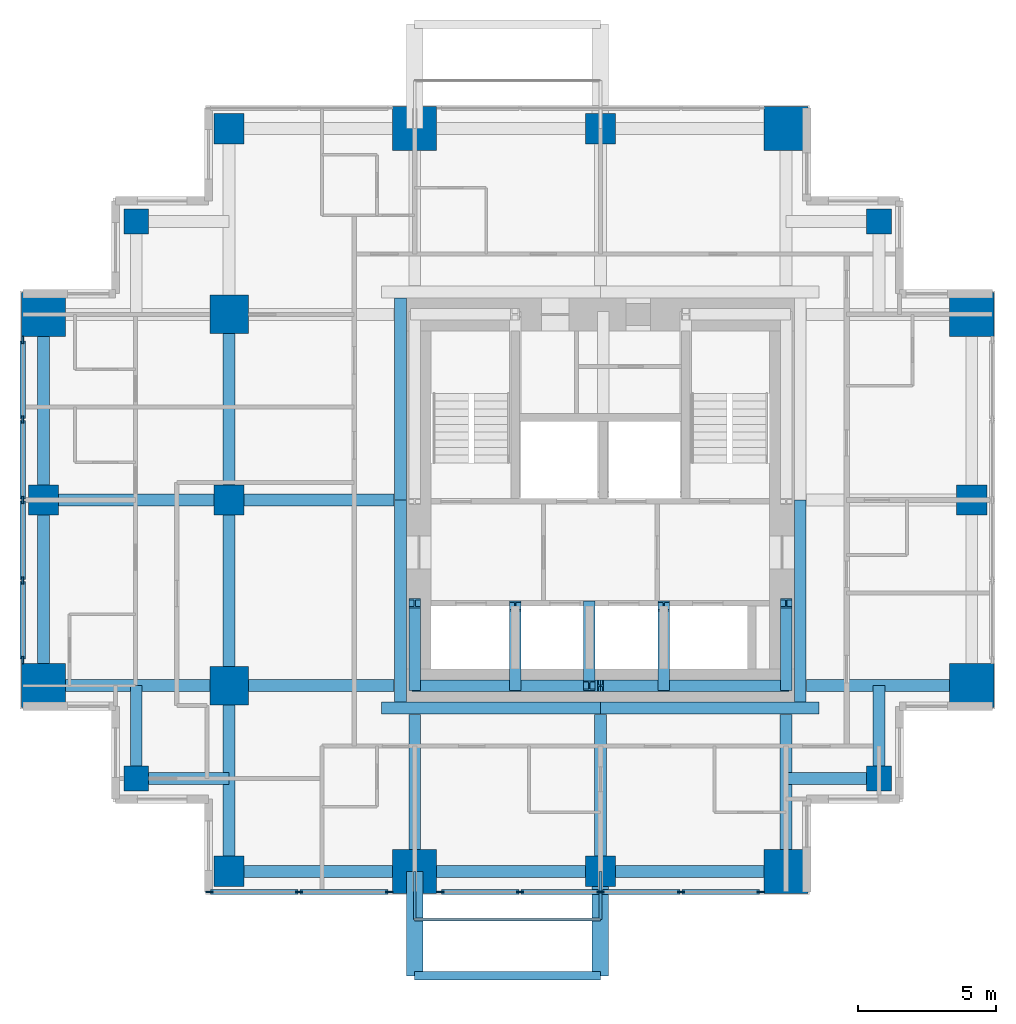
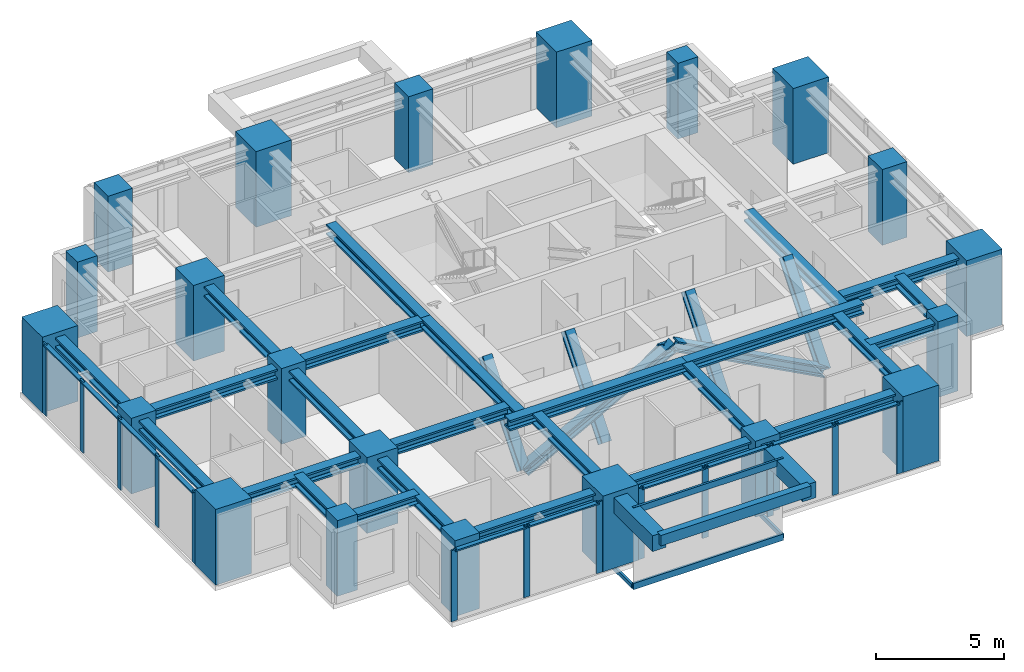
# One storey, part 1 of 8: 34 members, 28 beams, 21 columns, 3 elements without a shape of their own.
"""IFC4 building model written with IfcOpenShell, lengths in metres."""

from ifc_helpers import new_model, si_unit, direction, frame, origin, origin_2d, place, context, subcontext, project, spatial, rectangle, hollow_rectangle, i_section, extrude, material, material_profile, profile_set, type_object, element, aggregate, save


model = new_model("IFC4")

# Units and contexts
model_context = context("Model", 3, precision=1e-05, world=origin(), true_north=direction((0.0, 1.0)))
body_context = subcontext(model_context, "Body", "Model", "MODEL_VIEW")
ifc_project = project(units=[si_unit("LENGTHUNIT", "METRE"), si_unit("AREAUNIT", "SQUARE_METRE"), si_unit("VOLUMEUNIT", "CUBIC_METRE"), si_unit("PLANEANGLEUNIT", "RADIAN"), si_unit("MASSUNIT", "GRAM", prefix="KILO")], contexts=[model_context])

# Site, building, storey
site_placement = place(None, origin())
site = spatial("IfcSite", under=ifc_project, at=site_placement, CompositionType="ELEMENT")
building_placement = place(site_placement, origin())
building = spatial("IfcBuilding", under=site, at=building_placement, Name="Nyansa Garden Tower", CompositionType="ELEMENT")
storey_placement = place(building_placement, frame((0.0, 0.0, 207.89990234375)))
storey = spatial("IfcBuildingStorey", under=building, at=storey_placement, Name="L56", CompositionType="ELEMENT", Elevation=207.89990234375)

# Columns
ifc_material_1 = material(Name="Concrete C70/85", Category="concrete")
ifc_material_profile_1 = material_profile(ifc_material_1, rectangle(XDim=1.10009765625, YDim=1.10009765625, at=origin_2d()), Name="RC 1100x1100")
ifc_profile_set_1 = profile_set([ifc_material_profile_1], Name="Concrete C70/85")
column_type_1 = type_object("IfcColumnType", Name="Column C110 RC 1100x1100", PredefinedType="COLUMN", material=ifc_profile_set_1)
for number, where, z_axis, x_axis, name in (
    (1, (0.0, 20.25, 0.0), (0.0, 0.0, 1.0), (1.0, 0.0, 0.0), "Column 2/G L56"),
    (2, (6.75, 6.75, 0.0), (0.0, 0.0, 1.0), (1.0, 0.0, 0.0), "Column 3/E L56"),
    (3, (6.75, 20.25, 0.0), (0.0, 0.0, 1.0), (1.0, 0.0, 0.0), "Column 3/G L56"),
    (4, (6.75, 33.75, 0.0), (0.0, 0.0, 1.0), (1.0, 0.0, 0.0), "Column 3/J L56"),
    (5, (20.25, 6.75, 0.0), (0.0, 0.0, 1.0), (1.0, 0.0, 0.0), "Column 5/E L56"),
    (6, (20.25, 33.75, 0.0), (0.0, 0.0, 1.0), (1.0, 0.0, 0.0), "Column 5/J L56"),
    (7, (33.75, 20.25, 0.0), (0.0, 0.0, 1.0), (1.0, 0.0, 0.0), "Column 7/G L56"),
):
    element("IfcColumn", number, at=place(storey_placement, frame(where, z_axis=z_axis, x_axis=x_axis)), inside=storey, type_object=column_type_1, Name=name, PredefinedType="COLUMN", context=body_context, shape_type="SweptSolid", body=[
        extrude(rectangle(XDim=1.10009765625, YDim=1.10009765625, at=origin_2d()), origin(), (0.0, 0.0, 1.0), 3.60009765625),
    ])
ifc_material_2 = material(Name="Concrete C80/95", Category="concrete")
ifc_material_profile_2 = material_profile(ifc_material_2, rectangle(XDim=1.39990234375, YDim=1.39990234375, at=origin_2d()), Name="RC 1400x1400")
ifc_profile_set_2 = profile_set([ifc_material_profile_2], Name="Concrete C80/95")
column_type_2 = type_object("IfcColumnType", Name="Column C140 RC 1400x1400", PredefinedType="COLUMN", material=ifc_profile_set_2)
for number, where, z_axis, x_axis, name in (
    (8, (6.75, 13.5, 0.0), (0.0, 0.0, 1.0), (1.0, 0.0, 0.0), "Column 3/F L56"),
    (9, (6.75, 27.0, 0.0), (0.0, 0.0, 1.0), (1.0, 0.0, 0.0), "Column 3/H L56"),
):
    element("IfcColumn", number, at=place(storey_placement, frame(where, z_axis=z_axis, x_axis=x_axis)), inside=storey, type_object=column_type_2, Name=name, PredefinedType="COLUMN", context=body_context, shape_type="SweptSolid", body=[
        extrude(rectangle(XDim=1.39990234375, YDim=1.39990234375, at=origin_2d()), origin(), (0.0, 0.0, 1.0), 3.60009765625),
    ])
ifc_material_3 = material(Name="Concrete C80/95", Category="concrete")
ifc_material_profile_3 = material_profile(ifc_material_3, rectangle(XDim=1.60009765625, YDim=1.60009765625, at=origin_2d()), Name="RC 1600x1600")
ifc_profile_set_3 = profile_set([ifc_material_profile_3], Name="Concrete C80/95")
column_type_3 = type_object("IfcColumnType", Name="Column C160 RC 1600x1600", PredefinedType="COLUMN", material=ifc_profile_set_3)
for number, where, z_axis, x_axis, name in (
    (10, (0.0, 13.5, 0.0), (0.0, 0.0, 1.0), (1.0, 0.0, 0.0), "Column 2/F L56"),
    (11, (0.0, 27.0, 0.0), (0.0, 0.0, 1.0), (1.0, 0.0, 0.0), "Column 2/H L56"),
    (12, (13.5, 6.75, 0.0), (0.0, 0.0, 1.0), (1.0, 0.0, 0.0), "Column 4/E L56"),
    (13, (13.5, 33.75, 0.0), (0.0, 0.0, 1.0), (1.0, 0.0, 0.0), "Column 4/J L56"),
    (14, (27.0, 6.75, 0.0), (0.0, 0.0, 1.0), (1.0, 0.0, 0.0), "Column 6/E L56"),
    (15, (27.0, 33.75, 0.0), (0.0, 0.0, 1.0), (1.0, 0.0, 0.0), "Column 6/J L56"),
    (16, (33.75, 13.5, 0.0), (0.0, 0.0, 1.0), (1.0, 0.0, 0.0), "Column 7/F L56"),
    (17, (33.75, 27.0, 0.0), (0.0, 0.0, 1.0), (1.0, 0.0, 0.0), "Column 7/H L56"),
):
    element("IfcColumn", number, at=place(storey_placement, frame(where, z_axis=z_axis, x_axis=x_axis)), inside=storey, type_object=column_type_3, Name=name, PredefinedType="COLUMN", context=body_context, shape_type="SweptSolid", body=[
        extrude(rectangle(XDim=1.60009765625, YDim=1.60009765625, at=origin_2d()), origin(), (0.0, 0.0, 1.0), 3.60009765625),
    ])
ifc_material_4 = material(Name="Concrete C70/85", Category="concrete")
ifc_material_profile_4 = material_profile(ifc_material_4, rectangle(XDim=0.89990234375, YDim=0.89990234375, at=origin_2d()), Name="RC 900x900")
ifc_profile_set_4 = profile_set([ifc_material_profile_4], Name="Concrete C70/85")
column_type_4 = type_object("IfcColumnType", Name="Column C90 RC 900x900", PredefinedType="COLUMN", material=ifc_profile_set_4)
for number, where, z_axis, x_axis, name in (
    (18, (3.375, 10.125, 0.0), (0.0, 0.0, 1.0), (1.0, 0.0, 0.0), "Column x3.375/y10.125 L56"),
    (19, (3.375, 30.375, 0.0), (0.0, 0.0, 1.0), (1.0, 0.0, 0.0), "Column x3.375/y30.375 L56"),
    (20, (30.375, 10.125, 0.0), (0.0, 0.0, 1.0), (1.0, 0.0, 0.0), "Column x30.375/y10.125 L56"),
    (21, (30.375, 30.375, 0.0), (0.0, 0.0, 1.0), (1.0, 0.0, 0.0), "Column x30.375/y30.375 L56"),
):
    element("IfcColumn", number, at=place(storey_placement, frame(where, z_axis=z_axis, x_axis=x_axis)), inside=storey, type_object=column_type_4, Name=name, PredefinedType="COLUMN", context=body_context, shape_type="SweptSolid", body=[
        extrude(rectangle(XDim=0.89990234375, YDim=0.89990234375, at=origin_2d()), origin(), (0.0, 0.0, 1.0), 3.60009765625),
    ])

# Beams
ifc_material_5 = material(Name="Concrete C70/85", Category="concrete")
ifc_material_profile_5 = material_profile(ifc_material_5, rectangle(XDim=0.60009765625, YDim=0.75, at=origin_2d()), Name="RC 600x750")
ifc_profile_set_5 = profile_set([ifc_material_profile_5], Name="Concrete C70/85")
beam_type_1 = type_object("IfcBeamType", Name="Balcony cantilever beam CB1 RC 600x750", PredefinedType="BEAM", material=ifc_profile_set_5)
for number, where, z_axis, x_axis, name in (
    (22, (13.5, 6.75, 2.985107421875), (0.0, -1.0, 0.0), (1.0, 0.0, 0.0), "Balcony cantilever beam L57"),
    (23, (20.25, 6.75, 2.985107421875), (0.0, -1.0, 0.0), (1.0, 0.0, 0.0), "Balcony cantilever beam L57"),
):
    element("IfcBeam", number, at=place(storey_placement, frame(where, z_axis=z_axis, x_axis=x_axis)), inside=storey, type_object=beam_type_1, Name=name, PredefinedType="BEAM", context=body_context, shape_type="SweptSolid", body=[
        extrude(rectangle(XDim=0.60009765625, YDim=0.75, at=origin_2d()), origin(), (0.0, 0.0, 1.0), 3.800048828125),
    ])
ifc_material_6 = material(Name="Concrete C70/85", Category="concrete")
ifc_material_profile_6 = material_profile(ifc_material_6, rectangle(XDim=0.300048828125, YDim=0.5, at=origin_2d()), Name="RC 300x500")
ifc_profile_set_6 = profile_set([ifc_material_profile_6], Name="Concrete C70/85")
beam_type_2 = type_object("IfcBeamType", Name="Balcony edge beam BE1 RC 300x500", PredefinedType="BEAM", material=ifc_profile_set_6)
beam_1_placement = place(storey_placement, frame((13.5, 2.949951171875, 3.110107421875), z_axis=(1.0, 0.0, 0.0), x_axis=(0.0, 1.0, 0.0)))
element("IfcBeam", 24, at=beam_1_placement, inside=storey, type_object=beam_type_2, Name="Balcony edge beam L57", PredefinedType="BEAM", context=body_context, shape_type="SweptSolid", body=[
    extrude(rectangle(XDim=0.300048828125, YDim=0.5, at=origin_2d()), origin(), (0.0, 0.0, 1.0), 6.75),
])

# Curtain wall, members
ifc_material_7 = material(Name="Black anodised aluminium, dark tinted double glazing", Category="aluminium")
curtain_wall_type = type_object("IfcCurtainWallType", Name="Inner skin curtain wall ISW-D", PredefinedType="USERDEFINED", material=ifc_material_7)
curtain_wall_1_placement = place(storey_placement, origin())
curtain_wall_1 = element("IfcCurtainWall", 25, at=curtain_wall_1_placement, inside=storey, type_object=curtain_wall_type, Name="Inner skin curtain wall L56 W", ObjectType="UNITISED CURTAIN WALL", PredefinedType="USERDEFINED")
ifc_material_8 = material(Name="Black anodised aluminium", Category="aluminium")
ifc_material_profile_7 = material_profile(ifc_material_8, rectangle(XDim=0.070068359375, YDim=0.27490234375, at=origin_2d()), Name="Mullion 275x70")
ifc_profile_set_7 = profile_set([ifc_material_profile_7], Name="Black anodised aluminium")
member_type_1 = type_object("IfcMemberType", Name="Mullion ISW-D 275x70", PredefinedType="MULLION", material=ifc_profile_set_7)
member_1_placement = place(storey_placement, frame((-0.75, 26.0625, 0.0), z_axis=(0.0, 0.0, 1.0), x_axis=(1.0, 0.0, 0.0)))
member_1 = element("IfcMember", 26, at=member_1_placement, type_object=member_type_1, Name="ISW-D mullion 1", PredefinedType="MULLION", context=body_context, shape_type="SweptSolid", body=[
    extrude(rectangle(XDim=0.070068359375, YDim=0.27490234375, at=origin_2d()), origin(), (0.0, 0.0, 1.0), 3.375),
])
member_2_placement = place(storey_placement, frame((-0.75, 23.173828125, 0.0), z_axis=(0.0, 0.0, 1.0), x_axis=(1.0, 0.0, 0.0)))
member_2 = element("IfcMember", 27, at=member_2_placement, type_object=member_type_1, Name="ISW-D mullion 2", PredefinedType="MULLION", context=body_context, shape_type="SweptSolid", body=[
    extrude(rectangle(XDim=0.070068359375, YDim=0.27490234375, at=origin_2d()), origin(), (0.0, 0.0, 1.0), 3.375),
])
member_3_placement = place(storey_placement, frame((-0.75, 20.25, 0.0), z_axis=(0.0, 0.0, 1.0), x_axis=(1.0, 0.0, 0.0)))
member_3 = element("IfcMember", 28, at=member_3_placement, type_object=member_type_1, Name="ISW-D mullion 3", PredefinedType="MULLION", context=body_context, shape_type="SweptSolid", body=[
    extrude(rectangle(XDim=0.070068359375, YDim=0.27490234375, at=origin_2d()), origin(), (0.0, 0.0, 1.0), 3.375),
])
member_4_placement = place(storey_placement, frame((-0.75, 17.326171875, 0.0), z_axis=(0.0, 0.0, 1.0), x_axis=(1.0, 0.0, 0.0)))
member_4 = element("IfcMember", 29, at=member_4_placement, type_object=member_type_1, Name="ISW-D mullion 4", PredefinedType="MULLION", context=body_context, shape_type="SweptSolid", body=[
    extrude(rectangle(XDim=0.070068359375, YDim=0.27490234375, at=origin_2d()), origin(), (0.0, 0.0, 1.0), 3.375),
])
member_5_placement = place(storey_placement, frame((-0.75, 14.4375, 0.0), z_axis=(0.0, 0.0, 1.0), x_axis=(1.0, 0.0, 0.0)))
member_5 = element("IfcMember", 30, at=member_5_placement, type_object=member_type_1, Name="ISW-D mullion 5", PredefinedType="MULLION", context=body_context, shape_type="SweptSolid", body=[
    extrude(rectangle(XDim=0.070068359375, YDim=0.27490234375, at=origin_2d()), origin(), (0.0, 0.0, 1.0), 3.375),
])

curtain_wall_2_placement = place(storey_placement, origin())
curtain_wall_2 = element("IfcCurtainWall", 31, at=curtain_wall_2_placement, inside=storey, type_object=curtain_wall_type, Name="Inner skin curtain wall L56 S", ObjectType="UNITISED CURTAIN WALL", PredefinedType="USERDEFINED")
member_6_placement = place(storey_placement, frame((6.034912109375, 6.0, 0.0), z_axis=(0.0, 0.0, 1.0), x_axis=(0.0, 1.0, 0.0)))
member_6 = element("IfcMember", 32, at=member_6_placement, type_object=member_type_1, Name="ISW-D mullion 1", PredefinedType="MULLION", context=body_context, shape_type="SweptSolid", body=[
    extrude(rectangle(XDim=0.070068359375, YDim=0.27490234375, at=origin_2d()), origin(), (0.0, 0.0, 1.0), 3.375),
])
member_7_placement = place(storey_placement, frame((9.298828125, 6.0, 0.0), z_axis=(0.0, 0.0, 1.0), x_axis=(0.0, 1.0, 0.0)))
member_7 = element("IfcMember", 33, at=member_7_placement, type_object=member_type_1, Name="ISW-D mullion 2", PredefinedType="MULLION", context=body_context, shape_type="SweptSolid", body=[
    extrude(rectangle(XDim=0.070068359375, YDim=0.27490234375, at=origin_2d()), origin(), (0.0, 0.0, 1.0), 3.375),
])
member_8_placement = place(storey_placement, frame((12.5625, 6.0, 0.0), z_axis=(0.0, 0.0, 1.0), x_axis=(0.0, 1.0, 0.0)))
member_8 = element("IfcMember", 34, at=member_8_placement, type_object=member_type_1, Name="ISW-D mullion 3", PredefinedType="MULLION", context=body_context, shape_type="SweptSolid", body=[
    extrude(rectangle(XDim=0.070068359375, YDim=0.27490234375, at=origin_2d()), origin(), (0.0, 0.0, 1.0), 3.375),
])

curtain_wall_3_placement = place(storey_placement, origin())
curtain_wall_3 = element("IfcCurtainWall", 35, at=curtain_wall_3_placement, inside=storey, type_object=curtain_wall_type, Name="Inner skin curtain wall L56 S", ObjectType="UNITISED CURTAIN WALL", PredefinedType="USERDEFINED")
member_9_placement = place(storey_placement, frame((14.4375, 6.0, 0.0), z_axis=(0.0, 0.0, 1.0), x_axis=(0.0, 1.0, 0.0)))
member_9 = element("IfcMember", 36, at=member_9_placement, type_object=member_type_1, Name="ISW-D mullion 1", PredefinedType="MULLION", context=body_context, shape_type="SweptSolid", body=[
    extrude(rectangle(XDim=0.070068359375, YDim=0.27490234375, at=origin_2d()), origin(), (0.0, 0.0, 1.0), 3.375),
])
member_10_placement = place(storey_placement, frame((17.326171875, 6.0, 0.0), z_axis=(0.0, 0.0, 1.0), x_axis=(0.0, 1.0, 0.0)))
member_10 = element("IfcMember", 37, at=member_10_placement, type_object=member_type_1, Name="ISW-D mullion 2", PredefinedType="MULLION", context=body_context, shape_type="SweptSolid", body=[
    extrude(rectangle(XDim=0.070068359375, YDim=0.27490234375, at=origin_2d()), origin(), (0.0, 0.0, 1.0), 3.375),
])
member_11_placement = place(storey_placement, frame((20.25, 6.0, 0.0), z_axis=(0.0, 0.0, 1.0), x_axis=(0.0, 1.0, 0.0)))
member_11 = element("IfcMember", 38, at=member_11_placement, type_object=member_type_1, Name="ISW-D mullion 3", PredefinedType="MULLION", context=body_context, shape_type="SweptSolid", body=[
    extrude(rectangle(XDim=0.070068359375, YDim=0.27490234375, at=origin_2d()), origin(), (0.0, 0.0, 1.0), 3.375),
])
member_12_placement = place(storey_placement, frame((23.173828125, 6.0, 0.0), z_axis=(0.0, 0.0, 1.0), x_axis=(0.0, 1.0, 0.0)))
member_12 = element("IfcMember", 39, at=member_12_placement, type_object=member_type_1, Name="ISW-D mullion 4", PredefinedType="MULLION", context=body_context, shape_type="SweptSolid", body=[
    extrude(rectangle(XDim=0.070068359375, YDim=0.27490234375, at=origin_2d()), origin(), (0.0, 0.0, 1.0), 3.375),
])
member_13_placement = place(storey_placement, frame((26.0625, 6.0, 0.0), z_axis=(0.0, 0.0, 1.0), x_axis=(0.0, 1.0, 0.0)))
member_13 = element("IfcMember", 40, at=member_13_placement, type_object=member_type_1, Name="ISW-D mullion 5", PredefinedType="MULLION", context=body_context, shape_type="SweptSolid", body=[
    extrude(rectangle(XDim=0.070068359375, YDim=0.27490234375, at=origin_2d()), origin(), (0.0, 0.0, 1.0), 3.375),
])

# Members
ifc_material_9 = material(Name="Steel S355, black powder coated", Category="steel")
ifc_material_profile_8 = material_profile(ifc_material_9, hollow_rectangle(XDim=0.10009765625, YDim=0.199951171875, WallThickness=0.008056640625, at=origin_2d()), Name="RHS 200x100x8")
ifc_profile_set_8 = profile_set([ifc_material_profile_8], Name="Steel S355, black powder coated")
member_type_2 = type_object("IfcMemberType", Name="Outer skin bracket arm RHS 200x100x8", PredefinedType="USERDEFINED", material=ifc_profile_set_8)
for number, where, z_axis, x_axis, name in (
    (41, (13.5, 6.75, -0.375), (0.0, -1.0, 0.0), (1.0, 0.0, 0.0), "Outer skin bracket arm"),
    (42, (20.25, 6.75, -0.375), (0.0, -1.0, 0.0), (1.0, 0.0, 0.0), "Outer skin bracket arm"),
):
    element("IfcMember", number, at=place(storey_placement, frame(where, z_axis=z_axis, x_axis=x_axis)), inside=storey, type_object=member_type_2, Name=name, ObjectType="OUTER SKIN BRACKET", PredefinedType="USERDEFINED", context=body_context, shape_type="SweptSolid", body=[
        extrude(hollow_rectangle(XDim=0.10009765625, YDim=0.199951171875, WallThickness=0.008056640625, at=origin_2d()), origin(), (0.0, 0.0, 1.0), 1.75),
    ])
ifc_material_10 = material(Name="Steel S355, black powder coated", Category="steel")
ifc_material_profile_9 = material_profile(ifc_material_10, hollow_rectangle(XDim=0.10009765625, YDim=0.300048828125, WallThickness=0.010009765625, at=origin_2d()), Name="RHS 300x100x10")
ifc_profile_set_9 = profile_set([ifc_material_profile_9], Name="Steel S355, black powder coated")
member_type_3 = type_object("IfcMemberType", Name="Outer skin rail RHS 300x100x10", PredefinedType="USERDEFINED", material=ifc_profile_set_9)
for number, where, z_axis, x_axis, name in (
    (43, (13.5, 5.0, -0.375), (1.0, 0.0, 0.0), (0.0, 1.0, 0.0), "Outer skin rail L56"),
    (44, (13.5, 5.0, 3.22509765625), (1.0, 0.0, 0.0), (0.0, 1.0, 0.0), "Outer skin rail L56 head"),
):
    element("IfcMember", number, at=place(storey_placement, frame(where, z_axis=z_axis, x_axis=x_axis)), inside=storey, type_object=member_type_3, Name=name, ObjectType="OUTER SKIN RAIL", PredefinedType="USERDEFINED", context=body_context, shape_type="SweptSolid", body=[
        extrude(hollow_rectangle(XDim=0.10009765625, YDim=0.300048828125, WallThickness=0.010009765625, at=origin_2d()), origin(), (0.0, 0.0, 1.0), 6.75),
    ])
ifc_material_11 = material(Name="Steel S355", Category="steel")
ifc_material_profile_10 = material_profile(ifc_material_11, i_section(OverallWidth=0.41796875, OverallDepth=0.455078125, WebThickness=0.0419921875, FlangeThickness=0.067626953125, FilletRadius=0.014892578125, at=origin_2d()), Name="HD 400x463")
ifc_profile_set_10 = profile_set([ifc_material_profile_10], Name="Steel S355")
member_type_4 = type_object("IfcMemberType", Name="Perimeter brace heavy HD 400x463", PredefinedType="BRACE", material=ifc_profile_set_10)
for number, where, z_axis, x_axis, name in (
    (45, (13.5, 13.5, 0.0), (0.882347640589, 0.0, 0.47059817376), (0.0, 1.0, 0.0), "Core brace CS1 L56"),
    (46, (27.0, 13.5, 0.0), (-0.882347640589, 0.0, 0.47059817376), (0.0, -1.0, 0.0), "Core brace CS2 L56"),
):
    element("IfcMember", number, at=place(storey_placement, frame(where, z_axis=z_axis, x_axis=x_axis)), inside=storey, type_object=member_type_4, Name=name, PredefinedType="BRACE", context=body_context, shape_type="SweptSolid", body=[
        extrude(i_section(OverallWidth=0.41796875, OverallDepth=0.455078125, WebThickness=0.0419921875, FlangeThickness=0.067626953125, FilletRadius=0.014892578125, at=origin_2d()), origin(), (0.0, 0.0, 1.0), 7.650146484375),
    ])
for number, where, z_axis, x_axis, name in (
    (47, (13.5, 13.5, 0.0), (0.0, 0.640174150918, 0.768229820104), (-1.0, 0.0, 0.0), "Core brace CW5 L56"),
    (48, (27.0, 13.5, 0.0), (0.0, 0.640174150918, 0.768229820104), (-1.0, 0.0, 0.0), "Core brace CE7 L56"),
):
    element("IfcMember", number, at=place(storey_placement, frame(where, z_axis=z_axis, x_axis=x_axis)), inside=storey, type_object=member_type_4, Name=name, PredefinedType="BRACE", context=body_context, shape_type="SweptSolid", body=[
        extrude(i_section(OverallWidth=0.41796875, OverallDepth=0.455078125, WebThickness=0.0419921875, FlangeThickness=0.067626953125, FilletRadius=0.014892578125, at=origin_2d()), origin(), (0.0, 0.0, 1.0), 4.686279296875),
    ])
for number, where, z_axis, x_axis, name in (
    (49, (17.14990234375, 13.5, 0.0), (0.0, 0.627306405886, 0.778772542617), (-1.0, 0.0, 0.0), "Core brace CSW11 L56"),
    (50, (19.85009765625, 16.39990234375, 0.0), (0.0, -0.627306405886, 0.778772542617), (1.0, 0.0, 0.0), "Core brace CSW12 L56"),
    (51, (22.550048828125, 13.5, 0.0), (0.0, 0.627306405886, 0.778772542617), (-1.0, 0.0, 0.0), "Core brace CSW13 L56"),
):
    element("IfcMember", number, at=place(storey_placement, frame(where, z_axis=z_axis, x_axis=x_axis)), inside=storey, type_object=member_type_4, Name=name, PredefinedType="BRACE", context=body_context, shape_type="SweptSolid", body=[
        extrude(i_section(OverallWidth=0.41796875, OverallDepth=0.455078125, WebThickness=0.0419921875, FlangeThickness=0.067626953125, FilletRadius=0.014892578125, at=origin_2d()), origin(), (0.0, 0.0, 1.0), 4.622802734375),
    ])

# Beams
ifc_material_12 = material(Name="Steel S355", Category="steel")
ifc_material_profile_11 = material_profile(ifc_material_12, i_section(OverallWidth=0.431884765625, OverallDepth=0.498046875, WebThickness=0.0556640625, FlangeThickness=0.0888671875, FilletRadius=0.014892578125, at=origin_2d()), Name="HD 400x744")
ifc_profile_set_11 = profile_set([ifc_material_profile_11], Name="Steel S355")
beam_type_3 = type_object("IfcBeamType", Name="Steel beam SBD1-744 HD 400x744", PredefinedType="BEAM", material=ifc_profile_set_11)
for number, where, z_axis, x_axis, name in (
    (52, (0.0, 13.5, 3.1259765625), (1.0, 0.0, 0.0), (0.0, 1.0, 0.0), "Steel beam 2/F-3/F L57"),
    (53, (0.0, 20.25, 3.1259765625), (1.0, 0.0, 0.0), (0.0, 1.0, 0.0), "Steel beam 2/G-3/G L57"),
    (54, (6.75, 6.75, 3.1259765625), (0.0, 1.0, 0.0), (-1.0, 0.0, 0.0), "Steel beam 3/E-3/F L57"),
    (55, (6.75, 13.5, 3.1259765625), (0.0, 1.0, 0.0), (-1.0, 0.0, 0.0), "Steel beam 3/F-3/G L57"),
):
    element("IfcBeam", number, at=place(storey_placement, frame(where, z_axis=z_axis, x_axis=x_axis)), inside=storey, type_object=beam_type_3, Name=name, PredefinedType="BEAM", context=body_context, shape_type="SweptSolid", body=[
        extrude(i_section(OverallWidth=0.431884765625, OverallDepth=0.498046875, WebThickness=0.0556640625, FlangeThickness=0.0888671875, FilletRadius=0.014892578125, at=origin_2d()), origin(), (0.0, 0.0, 1.0), 6.75),
    ])
beam_2_placement = place(storey_placement, frame((6.75, 13.5, 3.1259765625), z_axis=(1.0, 0.0, 0.0), x_axis=(0.0, 1.0, 0.0)))
element("IfcBeam", 56, at=beam_2_placement, inside=storey, type_object=beam_type_3, Name="Steel beam 3/F-12.750/F L57", PredefinedType="BEAM", context=body_context, shape_type="SweptSolid", body=[
    extrude(i_section(OverallWidth=0.431884765625, OverallDepth=0.498046875, WebThickness=0.0556640625, FlangeThickness=0.0888671875, FilletRadius=0.014892578125, at=origin_2d()), origin(), (0.0, 0.0, 1.0), 6.0),
])
beam_3_placement = place(storey_placement, frame((6.75, 20.25, 3.1259765625), z_axis=(0.0, 1.0, 0.0), x_axis=(-1.0, 0.0, 0.0)))
element("IfcBeam", 57, at=beam_3_placement, inside=storey, type_object=beam_type_3, Name="Steel beam 3/G-3/H L57", PredefinedType="BEAM", context=body_context, shape_type="SweptSolid", body=[
    extrude(i_section(OverallWidth=0.431884765625, OverallDepth=0.498046875, WebThickness=0.0556640625, FlangeThickness=0.0888671875, FilletRadius=0.014892578125, at=origin_2d()), origin(), (0.0, 0.0, 1.0), 6.75),
])
beam_4_placement = place(storey_placement, frame((6.75, 20.25, 3.1259765625), z_axis=(1.0, 0.0, 0.0), x_axis=(0.0, 1.0, 0.0)))
element("IfcBeam", 58, at=beam_4_placement, inside=storey, type_object=beam_type_3, Name="Steel beam 3/G-12.750/G L57", PredefinedType="BEAM", context=body_context, shape_type="SweptSolid", body=[
    extrude(i_section(OverallWidth=0.431884765625, OverallDepth=0.498046875, WebThickness=0.0556640625, FlangeThickness=0.0888671875, FilletRadius=0.014892578125, at=origin_2d()), origin(), (0.0, 0.0, 1.0), 6.0),
])
for number, where, z_axis, x_axis, name in (
    (59, (13.5, 6.75, 3.1259765625), (0.0, 1.0, 0.0), (-1.0, 0.0, 0.0), "Steel beam 4/E-4/12.450 L57"),
    (60, (20.25, 6.75, 3.1259765625), (0.0, 1.0, 0.0), (-1.0, 0.0, 0.0), "Steel beam 5/E-5/12.450 L57"),
    (61, (27.0, 6.75, 3.1259765625), (0.0, 1.0, 0.0), (-1.0, 0.0, 0.0), "Steel beam 6/E-6/12.450 L57"),
):
    element("IfcBeam", number, at=place(storey_placement, frame(where, z_axis=z_axis, x_axis=x_axis)), inside=storey, type_object=beam_type_3, Name=name, PredefinedType="BEAM", context=body_context, shape_type="SweptSolid", body=[
        extrude(i_section(OverallWidth=0.431884765625, OverallDepth=0.498046875, WebThickness=0.0556640625, FlangeThickness=0.0888671875, FilletRadius=0.014892578125, at=origin_2d()), origin(), (0.0, 0.0, 1.0), 5.699951171875),
    ])
beam_5_placement = place(storey_placement, frame((27.75, 13.5, 3.1259765625), z_axis=(1.0, 0.0, 0.0), x_axis=(0.0, 1.0, 0.0)))
element("IfcBeam", 62, at=beam_5_placement, inside=storey, type_object=beam_type_3, Name="Steel beam 27.750/F-7/F L57", PredefinedType="BEAM", context=body_context, shape_type="SweptSolid", body=[
    extrude(i_section(OverallWidth=0.431884765625, OverallDepth=0.498046875, WebThickness=0.0556640625, FlangeThickness=0.0888671875, FilletRadius=0.014892578125, at=origin_2d()), origin(), (0.0, 0.0, 1.0), 6.0),
])
ifc_material_13 = material(Name="Steel S355", Category="steel")
ifc_material_profile_12 = material_profile(ifc_material_13, i_section(OverallWidth=0.431884765625, OverallDepth=0.498046875, WebThickness=0.0556640625, FlangeThickness=0.0888671875, FilletRadius=0.014892578125, at=origin_2d()), Name="HD 400x744")
ifc_profile_set_12 = profile_set([ifc_material_profile_12], Name="Steel S355")
beam_type_4 = type_object("IfcBeamType", Name="Steel beam SEBD-744 HD 400x744", PredefinedType="BEAM", material=ifc_profile_set_12)
for number, where, z_axis, x_axis, name in (
    (63, (0.0, 13.5, 3.1259765625), (0.0, 1.0, 0.0), (-1.0, 0.0, 0.0), "Steel edge beam 2/F-2/G L57"),
    (64, (0.0, 20.25, 3.1259765625), (0.0, 1.0, 0.0), (-1.0, 0.0, 0.0), "Steel edge beam 2/G-2/H L57"),
    (65, (6.75, 6.75, 3.1259765625), (1.0, 0.0, 0.0), (0.0, 1.0, 0.0), "Steel edge beam 3/E-4/E L57"),
    (66, (13.5, 6.75, 3.1259765625), (1.0, 0.0, 0.0), (0.0, 1.0, 0.0), "Steel edge beam 4/E-5/E L57"),
    (67, (20.25, 6.75, 3.1259765625), (1.0, 0.0, 0.0), (0.0, 1.0, 0.0), "Steel edge beam 5/E-6/E L57"),
):
    element("IfcBeam", number, at=place(storey_placement, frame(where, z_axis=z_axis, x_axis=x_axis)), inside=storey, type_object=beam_type_4, Name=name, PredefinedType="BEAM", context=body_context, shape_type="SweptSolid", body=[
        extrude(i_section(OverallWidth=0.431884765625, OverallDepth=0.498046875, WebThickness=0.0556640625, FlangeThickness=0.0888671875, FilletRadius=0.014892578125, at=origin_2d()), origin(), (0.0, 0.0, 1.0), 6.75),
    ])
ifc_material_14 = material(Name="Steel S355", Category="steel")
ifc_material_profile_13 = material_profile(ifc_material_14, i_section(OverallWidth=0.431884765625, OverallDepth=0.498046875, WebThickness=0.0556640625, FlangeThickness=0.0888671875, FilletRadius=0.014892578125, at=origin_2d()), Name="HD 400x744")
ifc_profile_set_13 = profile_set([ifc_material_profile_13], Name="Steel S355")
beam_type_5 = type_object("IfcBeamType", Name="Steel beam SLB1-744 HD 400x744", PredefinedType="BEAM", material=ifc_profile_set_13)
for number, where, z_axis, x_axis, name in (
    (68, (12.300048828125, 12.68408203125, 3.1259765625), (1.0, 0.0, 0.0), (0.0, 1.0, 0.0), "Steel core ledger beam S.1 L57"),
    (69, (20.25, 12.68408203125, 3.1259765625), (1.0, 0.0, 0.0), (0.0, 1.0, 0.0), "Steel core ledger beam S.2 L57"),
):
    element("IfcBeam", number, at=place(storey_placement, frame(where, z_axis=z_axis, x_axis=x_axis)), inside=storey, type_object=beam_type_5, Name=name, PredefinedType="BEAM", context=body_context, shape_type="SweptSolid", body=[
        extrude(i_section(OverallWidth=0.431884765625, OverallDepth=0.498046875, WebThickness=0.0556640625, FlangeThickness=0.0888671875, FilletRadius=0.014892578125, at=origin_2d()), origin(), (0.0, 0.0, 1.0), 7.949951171875),
    ])
for number, where, z_axis, x_axis, name in (
    (70, (27.51611328125, 12.89990234375, 3.1259765625), (0.0, 1.0, 0.0), (-1.0, 0.0, 0.0), "Steel core ledger beam E.1 L57"),
    (71, (12.98388671875, 27.60009765625, 3.1259765625), (0.0, -1.0, 0.0), (1.0, 0.0, 0.0), "Steel core ledger beam W.1 L57"),
    (72, (12.98388671875, 20.25, 3.1259765625), (0.0, -1.0, 0.0), (1.0, 0.0, 0.0), "Steel core ledger beam W.2 L57"),
):
    element("IfcBeam", number, at=place(storey_placement, frame(where, z_axis=z_axis, x_axis=x_axis)), inside=storey, type_object=beam_type_5, Name=name, PredefinedType="BEAM", context=body_context, shape_type="SweptSolid", body=[
        extrude(i_section(OverallWidth=0.431884765625, OverallDepth=0.498046875, WebThickness=0.0556640625, FlangeThickness=0.0888671875, FilletRadius=0.014892578125, at=origin_2d()), origin(), (0.0, 0.0, 1.0), 7.35009765625),
    ])
ifc_material_15 = material(Name="Steel S355", Category="steel")
ifc_material_profile_14 = material_profile(ifc_material_15, i_section(OverallWidth=0.431884765625, OverallDepth=0.498046875, WebThickness=0.0556640625, FlangeThickness=0.0888671875, FilletRadius=0.014892578125, at=origin_2d()), Name="HD 400x744")
ifc_profile_set_14 = profile_set([ifc_material_profile_14], Name="Steel S355")
beam_type_6 = type_object("IfcBeamType", Name="Steel beam SSB1-744 HD 400x744", PredefinedType="BEAM", material=ifc_profile_set_14)
for number, where, z_axis, x_axis, name in (
    (73, (3.375, 10.125, 3.1259765625), (0.0, 1.0, 0.0), (-1.0, 0.0, 0.0), "Steel step beam 3.375/10.125 L57"),
    (74, (3.375, 10.125, 3.1259765625), (1.0, 0.0, 0.0), (0.0, 1.0, 0.0), "Steel step beam 3.375/10.125 L57"),
    (75, (30.375, 10.125, 3.1259765625), (0.0, 1.0, 0.0), (-1.0, 0.0, 0.0), "Steel step beam 30.375/10.125 L57"),
    (76, (30.375, 10.125, 3.1259765625), (-1.0, 0.0, 0.0), (0.0, -1.0, 0.0), "Steel step beam 30.375/10.125 L57"),
):
    element("IfcBeam", number, at=place(storey_placement, frame(where, z_axis=z_axis, x_axis=x_axis)), inside=storey, type_object=beam_type_6, Name=name, PredefinedType="BEAM", context=body_context, shape_type="SweptSolid", body=[
        extrude(i_section(OverallWidth=0.431884765625, OverallDepth=0.498046875, WebThickness=0.0556640625, FlangeThickness=0.0888671875, FilletRadius=0.014892578125, at=origin_2d()), origin(), (0.0, 0.0, 1.0), 3.375),
    ])

# Member
ifc_material_16 = material(Name="Black anodised aluminium", Category="aluminium")
ifc_material_profile_15 = material_profile(ifc_material_16, rectangle(XDim=0.195068359375, YDim=0.070068359375, at=origin_2d()), Name="Transom 195x70")
ifc_profile_set_15 = profile_set([ifc_material_profile_15], Name="Black anodised aluminium")
member_type_5 = type_object("IfcMemberType", Name="Transom ISW-D 195x70", PredefinedType="USERDEFINED", material=ifc_profile_set_15)
member_14_placement = place(storey_placement, frame((-0.75, 26.027587890625, 3.340087890625), z_axis=(0.0, -1.0, 0.0), x_axis=(1.0, 0.0, 0.0)))
member_14 = element("IfcMember", 77, at=member_14_placement, type_object=member_type_5, Name="ISW-D transom 1", ObjectType="TRANSOM", PredefinedType="USERDEFINED", context=body_context, shape_type="SweptSolid", body=[
    extrude(rectangle(XDim=0.195068359375, YDim=0.070068359375, at=origin_2d()), origin(), (0.0, 0.0, 1.0), 2.81884765625),
])

member_15_placement = place(storey_placement, frame((-0.75, 23.138671875, 3.340087890625), z_axis=(0.0, -1.0, 0.0), x_axis=(1.0, 0.0, 0.0)))
member_15 = element("IfcMember", 78, at=member_15_placement, type_object=member_type_5, Name="ISW-D transom 2", ObjectType="TRANSOM", PredefinedType="USERDEFINED", context=body_context, shape_type="SweptSolid", body=[
    extrude(rectangle(XDim=0.195068359375, YDim=0.070068359375, at=origin_2d()), origin(), (0.0, 0.0, 1.0), 2.853759765625),
])

member_16_placement = place(storey_placement, frame((-0.75, 20.215087890625, 3.340087890625), z_axis=(0.0, -1.0, 0.0), x_axis=(1.0, 0.0, 0.0)))
member_16 = element("IfcMember", 79, at=member_16_placement, type_object=member_type_5, Name="ISW-D transom 3", ObjectType="TRANSOM", PredefinedType="USERDEFINED", context=body_context, shape_type="SweptSolid", body=[
    extrude(rectangle(XDim=0.195068359375, YDim=0.070068359375, at=origin_2d()), origin(), (0.0, 0.0, 1.0), 2.853759765625),
])

member_17_placement = place(storey_placement, frame((-0.75, 17.291259765625, 3.340087890625), z_axis=(0.0, -1.0, 0.0), x_axis=(1.0, 0.0, 0.0)))
member_17 = element("IfcMember", 80, at=member_17_placement, type_object=member_type_5, Name="ISW-D transom 4", ObjectType="TRANSOM", PredefinedType="USERDEFINED", context=body_context, shape_type="SweptSolid", body=[
    extrude(rectangle(XDim=0.195068359375, YDim=0.070068359375, at=origin_2d()), origin(), (0.0, 0.0, 1.0), 2.81884765625),
])

aggregate(curtain_wall_1, [member_1, member_2, member_3, member_4, member_5, member_14, member_15, member_16, member_17])

member_18_placement = place(storey_placement, frame((6.070068359375, 6.0, 3.340087890625), z_axis=(1.0, 0.0, 0.0), x_axis=(0.0, 1.0, 0.0)))
member_18 = element("IfcMember", 81, at=member_18_placement, type_object=member_type_5, Name="ISW-D transom 1", ObjectType="TRANSOM", PredefinedType="USERDEFINED", context=body_context, shape_type="SweptSolid", body=[
    extrude(rectangle(XDim=0.195068359375, YDim=0.070068359375, at=origin_2d()), origin(), (0.0, 0.0, 1.0), 3.193603515625),
])

member_19_placement = place(storey_placement, frame((9.333740234375, 6.0, 3.340087890625), z_axis=(1.0, 0.0, 0.0), x_axis=(0.0, 1.0, 0.0)))
member_19 = element("IfcMember", 82, at=member_19_placement, type_object=member_type_5, Name="ISW-D transom 2", ObjectType="TRANSOM", PredefinedType="USERDEFINED", context=body_context, shape_type="SweptSolid", body=[
    extrude(rectangle(XDim=0.195068359375, YDim=0.070068359375, at=origin_2d()), origin(), (0.0, 0.0, 1.0), 3.19384765625),
])

aggregate(curtain_wall_2, [member_6, member_7, member_8, member_18, member_19])

member_20_placement = place(storey_placement, frame((14.472412109375, 6.0, 3.340087890625), z_axis=(1.0, 0.0, 0.0), x_axis=(0.0, 1.0, 0.0)))
member_20 = element("IfcMember", 83, at=member_20_placement, type_object=member_type_5, Name="ISW-D transom 1", ObjectType="TRANSOM", PredefinedType="USERDEFINED", context=body_context, shape_type="SweptSolid", body=[
    extrude(rectangle(XDim=0.195068359375, YDim=0.070068359375, at=origin_2d()), origin(), (0.0, 0.0, 1.0), 2.81884765625),
])

member_21_placement = place(storey_placement, frame((17.361328125, 6.0, 3.340087890625), z_axis=(1.0, 0.0, 0.0), x_axis=(0.0, 1.0, 0.0)))
member_21 = element("IfcMember", 84, at=member_21_placement, type_object=member_type_5, Name="ISW-D transom 2", ObjectType="TRANSOM", PredefinedType="USERDEFINED", context=body_context, shape_type="SweptSolid", body=[
    extrude(rectangle(XDim=0.195068359375, YDim=0.070068359375, at=origin_2d()), origin(), (0.0, 0.0, 1.0), 2.853759765625),
])

member_22_placement = place(storey_placement, frame((20.284912109375, 6.0, 3.340087890625), z_axis=(1.0, 0.0, 0.0), x_axis=(0.0, 1.0, 0.0)))
member_22 = element("IfcMember", 85, at=member_22_placement, type_object=member_type_5, Name="ISW-D transom 3", ObjectType="TRANSOM", PredefinedType="USERDEFINED", context=body_context, shape_type="SweptSolid", body=[
    extrude(rectangle(XDim=0.195068359375, YDim=0.070068359375, at=origin_2d()), origin(), (0.0, 0.0, 1.0), 2.853759765625),
])

member_23_placement = place(storey_placement, frame((23.208740234375, 6.0, 3.340087890625), z_axis=(1.0, 0.0, 0.0), x_axis=(0.0, 1.0, 0.0)))
member_23 = element("IfcMember", 86, at=member_23_placement, type_object=member_type_5, Name="ISW-D transom 4", ObjectType="TRANSOM", PredefinedType="USERDEFINED", context=body_context, shape_type="SweptSolid", body=[
    extrude(rectangle(XDim=0.195068359375, YDim=0.070068359375, at=origin_2d()), origin(), (0.0, 0.0, 1.0), 2.81884765625),
])

aggregate(curtain_wall_3, [member_9, member_10, member_11, member_12, member_13, member_20, member_21, member_22, member_23])

save(model, "model.ifc")
